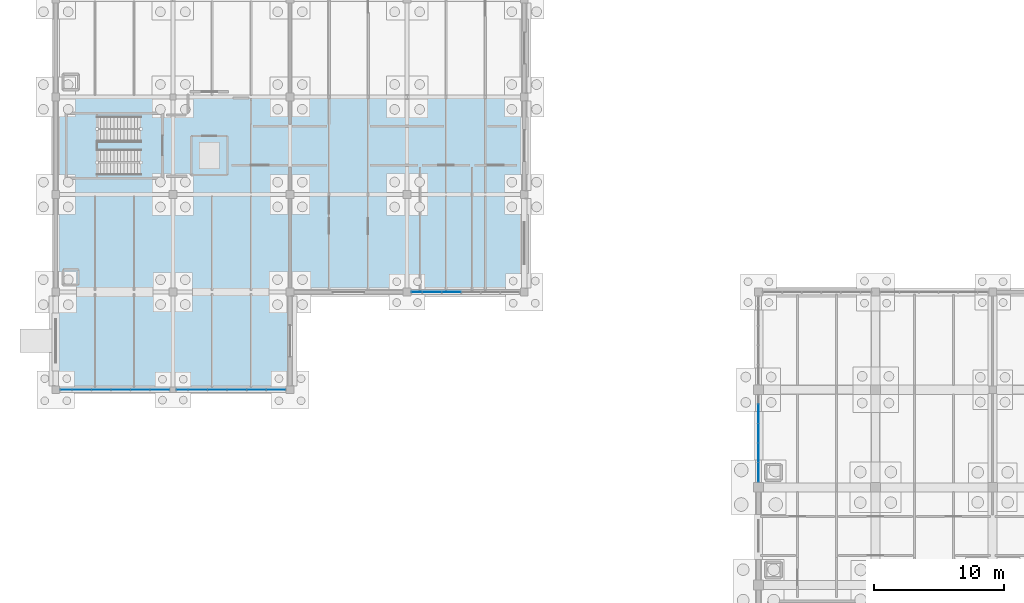
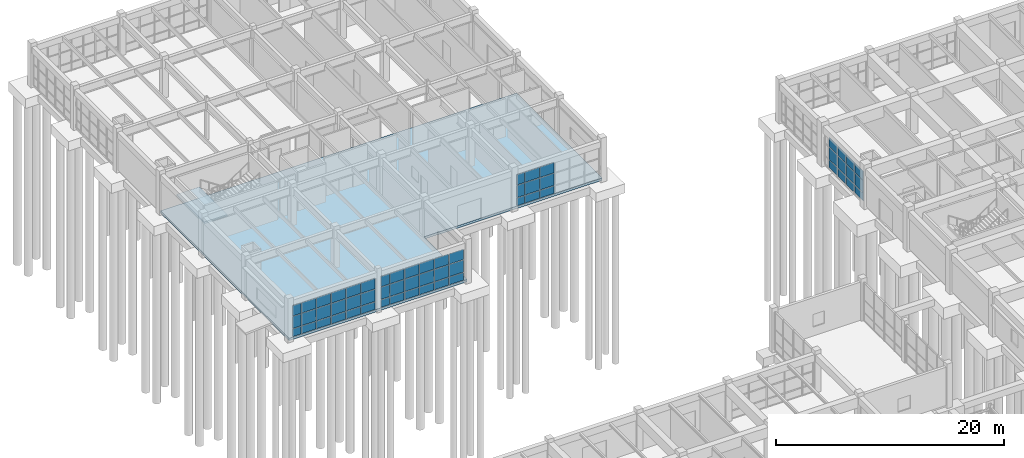
# One storey, part 48 of 93: 57 plates, 2 slabs, 5 elements without a shape of their own.
"""IFC4 building model written with IfcOpenShell, lengths in metres."""

from ifc_helpers import new_model, si_unit, direction, frame, origin, origin_2d, place, context, subcontext, project, spatial, polyline, rectangle, outline, extrude, material, layer, layer_set, type_object, element, aggregate, save


model = new_model("IFC4")

# Units and contexts
model_context = context("Model", 3, precision=1e-05, world=origin(), true_north=direction((0.0, 1.0)))
body_context = subcontext(model_context, "Body", "Model", "MODEL_VIEW")
ifc_project = project(units=[si_unit("LENGTHUNIT", "METRE"), si_unit("AREAUNIT", "SQUARE_METRE"), si_unit("VOLUMEUNIT", "CUBIC_METRE"), si_unit("PLANEANGLEUNIT", "RADIAN"), si_unit("MASSUNIT", "GRAM", prefix="KILO")], contexts=[model_context])

# Site, building, storey
site_placement = place(None, origin())
site = spatial("IfcSite", under=ifc_project, at=site_placement, CompositionType="ELEMENT")
building_placement = place(site_placement, origin())
building = spatial("IfcBuilding", under=site, at=building_placement, Name="Marnridge Secondary College", CompositionType="ELEMENT")
storey_placement = place(building_placement, origin())
storey = spatial("IfcBuildingStorey", under=building, at=storey_placement, Name="L00", CompositionType="ELEMENT", Elevation=0.0)

# Curtain wall, plates
ifc_material_1 = material(Name="Thermally broken aluminium and low-E glazing", Category="aluminium")
ifc_layer_1 = layer(ifc_material_1, 0.159912109375)
ifc_layer_set_1 = layer_set([ifc_layer_1], Name="CW-MOD-1500")
curtain_wall_type = type_object("IfcCurtainWallType", Name="CW-MOD-1500", PredefinedType="NOTDEFINED", material=ifc_layer_set_1)
curtain_wall_1_placement = place(storey_placement, origin())
curtain_wall_1 = element("IfcCurtainWall", 1, at=curtain_wall_1_placement, inside=storey, type_object=curtain_wall_type, Name="Unitised curtain wall CW-L00-007", PredefinedType="NOTDEFINED")
ifc_material_2 = material(Name="Double-glazed low-E argon unit", Category="glass")
ifc_layer_2 = layer(ifc_material_2, 0.028076171875)
ifc_layer_set_2 = layer_set([ifc_layer_2], Name="CWP-GLZ28")
plate_type = type_object("IfcPlateType", Name="CWP-GLZ28", PredefinedType="CURTAIN_PANEL", material=ifc_layer_set_2)
plate_1_placement = place(storey_placement, frame((54.0, 68.658935546875, 0.06005859375), z_axis=(0.0, 0.0, 1.0), x_axis=(0.0, 1.0, 0.0)))
plate_1 = element("IfcPlate", 2, at=plate_1_placement, type_object=plate_type, Name="CW-L00-007 panel 1.1", PredefinedType="CURTAIN_PANEL", context=body_context, shape_type="SweptSolid", body=[
    extrude(rectangle(XDim=1.43994140625, YDim=0.028076171875, at=origin_2d()), origin(), (0.0, 0.0, 1.0), 0.81005859375),
])
plate_2_placement = place(storey_placement, frame((54.0, 68.658935546875, 0.929931640625), z_axis=(0.0, 0.0, 1.0), x_axis=(0.0, 1.0, 0.0)))
plate_2 = element("IfcPlate", 3, at=plate_2_placement, type_object=plate_type, Name="CW-L00-007 panel 1.2", PredefinedType="CURTAIN_PANEL", context=body_context, shape_type="SweptSolid", body=[
    extrude(rectangle(XDim=1.43994140625, YDim=0.028076171875, at=origin_2d()), origin(), (0.0, 0.0, 1.0), 1.2900390625),
])
plate_3_placement = place(storey_placement, frame((54.0, 68.658935546875, 2.280029296875), z_axis=(0.0, 0.0, 1.0), x_axis=(0.0, 1.0, 0.0)))
plate_3 = element("IfcPlate", 4, at=plate_3_placement, type_object=plate_type, Name="CW-L00-007 panel 1.3", PredefinedType="CURTAIN_PANEL", context=body_context, shape_type="SweptSolid", body=[
    extrude(rectangle(XDim=1.43994140625, YDim=0.028076171875, at=origin_2d()), origin(), (0.0, 0.0, 1.0), 0.98193359375),
])
plate_4_placement = place(storey_placement, frame((54.0, 70.158935546875, 0.06005859375), z_axis=(0.0, 0.0, 1.0), x_axis=(0.0, 1.0, 0.0)))
plate_4 = element("IfcPlate", 5, at=plate_4_placement, type_object=plate_type, Name="CW-L00-007 panel 2.1", PredefinedType="CURTAIN_PANEL", context=body_context, shape_type="SweptSolid", body=[
    extrude(rectangle(XDim=1.43994140625, YDim=0.028076171875, at=origin_2d()), origin(), (0.0, 0.0, 1.0), 0.81005859375),
])
plate_5_placement = place(storey_placement, frame((54.0, 70.158935546875, 0.929931640625), z_axis=(0.0, 0.0, 1.0), x_axis=(0.0, 1.0, 0.0)))
plate_5 = element("IfcPlate", 6, at=plate_5_placement, type_object=plate_type, Name="CW-L00-007 panel 2.2", PredefinedType="CURTAIN_PANEL", context=body_context, shape_type="SweptSolid", body=[
    extrude(rectangle(XDim=1.43994140625, YDim=0.028076171875, at=origin_2d()), origin(), (0.0, 0.0, 1.0), 1.2900390625),
])
plate_6_placement = place(storey_placement, frame((54.0, 70.158935546875, 2.280029296875), z_axis=(0.0, 0.0, 1.0), x_axis=(0.0, 1.0, 0.0)))
plate_6 = element("IfcPlate", 7, at=plate_6_placement, type_object=plate_type, Name="CW-L00-007 panel 2.3", PredefinedType="CURTAIN_PANEL", context=body_context, shape_type="SweptSolid", body=[
    extrude(rectangle(XDim=1.43994140625, YDim=0.028076171875, at=origin_2d()), origin(), (0.0, 0.0, 1.0), 0.98193359375),
])
plate_7_placement = place(storey_placement, frame((54.0, 71.658935546875, 0.06005859375), z_axis=(0.0, 0.0, 1.0), x_axis=(0.0, 1.0, 0.0)))
plate_7 = element("IfcPlate", 8, at=plate_7_placement, type_object=plate_type, Name="CW-L00-007 panel 3.1", PredefinedType="CURTAIN_PANEL", context=body_context, shape_type="SweptSolid", body=[
    extrude(rectangle(XDim=1.43994140625, YDim=0.028076171875, at=origin_2d()), origin(), (0.0, 0.0, 1.0), 0.81005859375),
])
plate_8_placement = place(storey_placement, frame((54.0, 71.658935546875, 0.929931640625), z_axis=(0.0, 0.0, 1.0), x_axis=(0.0, 1.0, 0.0)))
plate_8 = element("IfcPlate", 9, at=plate_8_placement, type_object=plate_type, Name="CW-L00-007 panel 3.2", PredefinedType="CURTAIN_PANEL", context=body_context, shape_type="SweptSolid", body=[
    extrude(rectangle(XDim=1.43994140625, YDim=0.028076171875, at=origin_2d()), origin(), (0.0, 0.0, 1.0), 1.2900390625),
])
plate_9_placement = place(storey_placement, frame((54.0, 71.658935546875, 2.280029296875), z_axis=(0.0, 0.0, 1.0), x_axis=(0.0, 1.0, 0.0)))
plate_9 = element("IfcPlate", 10, at=plate_9_placement, type_object=plate_type, Name="CW-L00-007 panel 3.3", PredefinedType="CURTAIN_PANEL", context=body_context, shape_type="SweptSolid", body=[
    extrude(rectangle(XDim=1.43994140625, YDim=0.028076171875, at=origin_2d()), origin(), (0.0, 0.0, 1.0), 0.98193359375),
])
plate_10_placement = place(storey_placement, frame((54.0, 73.158935546875, 0.06005859375), z_axis=(0.0, 0.0, 1.0), x_axis=(0.0, 1.0, 0.0)))
plate_10 = element("IfcPlate", 11, at=plate_10_placement, type_object=plate_type, Name="CW-L00-007 panel 4.1", PredefinedType="CURTAIN_PANEL", context=body_context, shape_type="SweptSolid", body=[
    extrude(rectangle(XDim=1.43994140625, YDim=0.028076171875, at=origin_2d()), origin(), (0.0, 0.0, 1.0), 0.81005859375),
])
plate_11_placement = place(storey_placement, frame((54.0, 73.158935546875, 0.929931640625), z_axis=(0.0, 0.0, 1.0), x_axis=(0.0, 1.0, 0.0)))
plate_11 = element("IfcPlate", 12, at=plate_11_placement, type_object=plate_type, Name="CW-L00-007 panel 4.2", PredefinedType="CURTAIN_PANEL", context=body_context, shape_type="SweptSolid", body=[
    extrude(rectangle(XDim=1.43994140625, YDim=0.028076171875, at=origin_2d()), origin(), (0.0, 0.0, 1.0), 1.2900390625),
])
plate_12_placement = place(storey_placement, frame((54.0, 73.158935546875, 2.280029296875), z_axis=(0.0, 0.0, 1.0), x_axis=(0.0, 1.0, 0.0)))
plate_12 = element("IfcPlate", 13, at=plate_12_placement, type_object=plate_type, Name="CW-L00-007 panel 4.3", PredefinedType="CURTAIN_PANEL", context=body_context, shape_type="SweptSolid", body=[
    extrude(rectangle(XDim=1.43994140625, YDim=0.028076171875, at=origin_2d()), origin(), (0.0, 0.0, 1.0), 0.98193359375),
])
aggregate(curtain_wall_1, [plate_1, plate_2, plate_3, plate_4, plate_5, plate_6, plate_7, plate_8, plate_9, plate_10, plate_11, plate_12])

curtain_wall_2_placement = place(storey_placement, origin())
curtain_wall_2 = element("IfcCurtainWall", 14, at=curtain_wall_2_placement, inside=storey, type_object=curtain_wall_type, Name="Unitised curtain wall CW-L00-014", PredefinedType="NOTDEFINED")
plate_13_placement = place(storey_placement, frame((30.416015625, 82.5, 0.06005859375), z_axis=(0.0, 0.0, 1.0), x_axis=(-1.0, 0.0, 0.0)))
plate_13 = element("IfcPlate", 15, at=plate_13_placement, type_object=plate_type, Name="CW-L00-014 panel 4.1", PredefinedType="CURTAIN_PANEL", context=body_context, shape_type="SweptSolid", body=[
    extrude(rectangle(XDim=1.43994140625, YDim=0.028076171875, at=origin_2d()), origin(), (0.0, 0.0, 1.0), 0.81005859375),
])
plate_14_placement = place(storey_placement, frame((30.416015625, 82.5, 0.929931640625), z_axis=(0.0, 0.0, 1.0), x_axis=(-1.0, 0.0, 0.0)))
plate_14 = element("IfcPlate", 16, at=plate_14_placement, type_object=plate_type, Name="CW-L00-014 panel 4.2", PredefinedType="CURTAIN_PANEL", context=body_context, shape_type="SweptSolid", body=[
    extrude(rectangle(XDim=1.43994140625, YDim=0.028076171875, at=origin_2d()), origin(), (0.0, 0.0, 1.0), 1.2900390625),
])
plate_15_placement = place(storey_placement, frame((30.416015625, 82.5, 2.280029296875), z_axis=(0.0, 0.0, 1.0), x_axis=(-1.0, 0.0, 0.0)))
plate_15 = element("IfcPlate", 17, at=plate_15_placement, type_object=plate_type, Name="CW-L00-014 panel 4.3", PredefinedType="CURTAIN_PANEL", context=body_context, shape_type="SweptSolid", body=[
    extrude(rectangle(XDim=1.43994140625, YDim=0.028076171875, at=origin_2d()), origin(), (0.0, 0.0, 1.0), 1.10205078125),
])
plate_16_placement = place(storey_placement, frame((28.916015625, 82.5, 0.06005859375), z_axis=(0.0, 0.0, 1.0), x_axis=(-1.0, 0.0, 0.0)))
plate_16 = element("IfcPlate", 18, at=plate_16_placement, type_object=plate_type, Name="CW-L00-014 panel 5.1", PredefinedType="CURTAIN_PANEL", context=body_context, shape_type="SweptSolid", body=[
    extrude(rectangle(XDim=1.43994140625, YDim=0.028076171875, at=origin_2d()), origin(), (0.0, 0.0, 1.0), 0.81005859375),
])
plate_17_placement = place(storey_placement, frame((28.916015625, 82.5, 0.929931640625), z_axis=(0.0, 0.0, 1.0), x_axis=(-1.0, 0.0, 0.0)))
plate_17 = element("IfcPlate", 19, at=plate_17_placement, type_object=plate_type, Name="CW-L00-014 panel 5.2", PredefinedType="CURTAIN_PANEL", context=body_context, shape_type="SweptSolid", body=[
    extrude(rectangle(XDim=1.43994140625, YDim=0.028076171875, at=origin_2d()), origin(), (0.0, 0.0, 1.0), 1.2900390625),
])
plate_18_placement = place(storey_placement, frame((28.916015625, 82.5, 2.280029296875), z_axis=(0.0, 0.0, 1.0), x_axis=(-1.0, 0.0, 0.0)))
plate_18 = element("IfcPlate", 20, at=plate_18_placement, type_object=plate_type, Name="CW-L00-014 panel 5.3", PredefinedType="CURTAIN_PANEL", context=body_context, shape_type="SweptSolid", body=[
    extrude(rectangle(XDim=1.43994140625, YDim=0.028076171875, at=origin_2d()), origin(), (0.0, 0.0, 1.0), 1.10205078125),
])
plate_19_placement = place(storey_placement, frame((27.75, 82.5, 0.06005859375), z_axis=(0.0, 0.0, 1.0), x_axis=(-1.0, 0.0, 0.0)))
plate_19 = element("IfcPlate", 21, at=plate_19_placement, type_object=plate_type, Name="CW-L00-014 panel 6.1", PredefinedType="CURTAIN_PANEL", context=body_context, shape_type="SweptSolid", body=[
    extrude(rectangle(XDim=0.77197265625, YDim=0.028076171875, at=origin_2d()), origin(), (0.0, 0.0, 1.0), 0.81005859375),
])
plate_20_placement = place(storey_placement, frame((27.75, 82.5, 0.929931640625), z_axis=(0.0, 0.0, 1.0), x_axis=(-1.0, 0.0, 0.0)))
plate_20 = element("IfcPlate", 22, at=plate_20_placement, type_object=plate_type, Name="CW-L00-014 panel 6.2", PredefinedType="CURTAIN_PANEL", context=body_context, shape_type="SweptSolid", body=[
    extrude(rectangle(XDim=0.77197265625, YDim=0.028076171875, at=origin_2d()), origin(), (0.0, 0.0, 1.0), 1.2900390625),
])
plate_21_placement = place(storey_placement, frame((27.75, 82.5, 2.280029296875), z_axis=(0.0, 0.0, 1.0), x_axis=(-1.0, 0.0, 0.0)))
plate_21 = element("IfcPlate", 23, at=plate_21_placement, type_object=plate_type, Name="CW-L00-014 panel 6.3", PredefinedType="CURTAIN_PANEL", context=body_context, shape_type="SweptSolid", body=[
    extrude(rectangle(XDim=0.77197265625, YDim=0.028076171875, at=origin_2d()), origin(), (0.0, 0.0, 1.0), 1.10205078125),
])
aggregate(curtain_wall_2, [plate_13, plate_14, plate_15, plate_16, plate_17, plate_18, plate_19, plate_20, plate_21])

curtain_wall_3_placement = place(storey_placement, origin())
curtain_wall_3 = element("IfcCurtainWall", 24, at=curtain_wall_3_placement, inside=storey, type_object=curtain_wall_type, Name="Unitised curtain wall CW-L00-015", PredefinedType="NOTDEFINED")
plate_22_placement = place(storey_placement, frame((16.916015625, 75.0, 0.06005859375), z_axis=(0.0, 0.0, 1.0), x_axis=(-1.0, 0.0, 0.0)))
plate_22 = element("IfcPlate", 25, at=plate_22_placement, type_object=plate_type, Name="CW-L00-015 panel 1.1", PredefinedType="CURTAIN_PANEL", context=body_context, shape_type="SweptSolid", body=[
    extrude(rectangle(XDim=1.43994140625, YDim=0.028076171875, at=origin_2d()), origin(), (0.0, 0.0, 1.0), 0.81005859375),
])
plate_23_placement = place(storey_placement, frame((16.916015625, 75.0, 0.929931640625), z_axis=(0.0, 0.0, 1.0), x_axis=(-1.0, 0.0, 0.0)))
plate_23 = element("IfcPlate", 26, at=plate_23_placement, type_object=plate_type, Name="CW-L00-015 panel 1.2", PredefinedType="CURTAIN_PANEL", context=body_context, shape_type="SweptSolid", body=[
    extrude(rectangle(XDim=1.43994140625, YDim=0.028076171875, at=origin_2d()), origin(), (0.0, 0.0, 1.0), 1.2900390625),
])
plate_24_placement = place(storey_placement, frame((16.916015625, 75.0, 2.280029296875), z_axis=(0.0, 0.0, 1.0), x_axis=(-1.0, 0.0, 0.0)))
plate_24 = element("IfcPlate", 27, at=plate_24_placement, type_object=plate_type, Name="CW-L00-015 panel 1.3", PredefinedType="CURTAIN_PANEL", context=body_context, shape_type="SweptSolid", body=[
    extrude(rectangle(XDim=1.43994140625, YDim=0.028076171875, at=origin_2d()), origin(), (0.0, 0.0, 1.0), 1.10205078125),
])
plate_25_placement = place(storey_placement, frame((15.416015625, 75.0, 0.06005859375), z_axis=(0.0, 0.0, 1.0), x_axis=(-1.0, 0.0, 0.0)))
plate_25 = element("IfcPlate", 28, at=plate_25_placement, type_object=plate_type, Name="CW-L00-015 panel 2.1", PredefinedType="CURTAIN_PANEL", context=body_context, shape_type="SweptSolid", body=[
    extrude(rectangle(XDim=1.43994140625, YDim=0.028076171875, at=origin_2d()), origin(), (0.0, 0.0, 1.0), 0.81005859375),
])
plate_26_placement = place(storey_placement, frame((15.416015625, 75.0, 0.929931640625), z_axis=(0.0, 0.0, 1.0), x_axis=(-1.0, 0.0, 0.0)))
plate_26 = element("IfcPlate", 29, at=plate_26_placement, type_object=plate_type, Name="CW-L00-015 panel 2.2", PredefinedType="CURTAIN_PANEL", context=body_context, shape_type="SweptSolid", body=[
    extrude(rectangle(XDim=1.43994140625, YDim=0.028076171875, at=origin_2d()), origin(), (0.0, 0.0, 1.0), 1.2900390625),
])
plate_27_placement = place(storey_placement, frame((15.416015625, 75.0, 2.280029296875), z_axis=(0.0, 0.0, 1.0), x_axis=(-1.0, 0.0, 0.0)))
plate_27 = element("IfcPlate", 30, at=plate_27_placement, type_object=plate_type, Name="CW-L00-015 panel 2.3", PredefinedType="CURTAIN_PANEL", context=body_context, shape_type="SweptSolid", body=[
    extrude(rectangle(XDim=1.43994140625, YDim=0.028076171875, at=origin_2d()), origin(), (0.0, 0.0, 1.0), 1.10205078125),
])
plate_28_placement = place(storey_placement, frame((13.916015625, 75.0, 0.06005859375), z_axis=(0.0, 0.0, 1.0), x_axis=(-1.0, 0.0, 0.0)))
plate_28 = element("IfcPlate", 31, at=plate_28_placement, type_object=plate_type, Name="CW-L00-015 panel 3.1", PredefinedType="CURTAIN_PANEL", context=body_context, shape_type="SweptSolid", body=[
    extrude(rectangle(XDim=1.43994140625, YDim=0.028076171875, at=origin_2d()), origin(), (0.0, 0.0, 1.0), 0.81005859375),
])
plate_29_placement = place(storey_placement, frame((13.916015625, 75.0, 0.929931640625), z_axis=(0.0, 0.0, 1.0), x_axis=(-1.0, 0.0, 0.0)))
plate_29 = element("IfcPlate", 32, at=plate_29_placement, type_object=plate_type, Name="CW-L00-015 panel 3.2", PredefinedType="CURTAIN_PANEL", context=body_context, shape_type="SweptSolid", body=[
    extrude(rectangle(XDim=1.43994140625, YDim=0.028076171875, at=origin_2d()), origin(), (0.0, 0.0, 1.0), 1.2900390625),
])
plate_30_placement = place(storey_placement, frame((13.916015625, 75.0, 2.280029296875), z_axis=(0.0, 0.0, 1.0), x_axis=(-1.0, 0.0, 0.0)))
plate_30 = element("IfcPlate", 33, at=plate_30_placement, type_object=plate_type, Name="CW-L00-015 panel 3.3", PredefinedType="CURTAIN_PANEL", context=body_context, shape_type="SweptSolid", body=[
    extrude(rectangle(XDim=1.43994140625, YDim=0.028076171875, at=origin_2d()), origin(), (0.0, 0.0, 1.0), 1.10205078125),
])
plate_31_placement = place(storey_placement, frame((12.416015625, 75.0, 0.06005859375), z_axis=(0.0, 0.0, 1.0), x_axis=(-1.0, 0.0, 0.0)))
plate_31 = element("IfcPlate", 34, at=plate_31_placement, type_object=plate_type, Name="CW-L00-015 panel 4.1", PredefinedType="CURTAIN_PANEL", context=body_context, shape_type="SweptSolid", body=[
    extrude(rectangle(XDim=1.43994140625, YDim=0.028076171875, at=origin_2d()), origin(), (0.0, 0.0, 1.0), 0.81005859375),
])
plate_32_placement = place(storey_placement, frame((12.416015625, 75.0, 0.929931640625), z_axis=(0.0, 0.0, 1.0), x_axis=(-1.0, 0.0, 0.0)))
plate_32 = element("IfcPlate", 35, at=plate_32_placement, type_object=plate_type, Name="CW-L00-015 panel 4.2", PredefinedType="CURTAIN_PANEL", context=body_context, shape_type="SweptSolid", body=[
    extrude(rectangle(XDim=1.43994140625, YDim=0.028076171875, at=origin_2d()), origin(), (0.0, 0.0, 1.0), 1.2900390625),
])
plate_33_placement = place(storey_placement, frame((12.416015625, 75.0, 2.280029296875), z_axis=(0.0, 0.0, 1.0), x_axis=(-1.0, 0.0, 0.0)))
plate_33 = element("IfcPlate", 36, at=plate_33_placement, type_object=plate_type, Name="CW-L00-015 panel 4.3", PredefinedType="CURTAIN_PANEL", context=body_context, shape_type="SweptSolid", body=[
    extrude(rectangle(XDim=1.43994140625, YDim=0.028076171875, at=origin_2d()), origin(), (0.0, 0.0, 1.0), 1.10205078125),
])
plate_34_placement = place(storey_placement, frame((10.916015625, 75.0, 0.06005859375), z_axis=(0.0, 0.0, 1.0), x_axis=(-1.0, 0.0, 0.0)))
plate_34 = element("IfcPlate", 37, at=plate_34_placement, type_object=plate_type, Name="CW-L00-015 panel 5.1", PredefinedType="CURTAIN_PANEL", context=body_context, shape_type="SweptSolid", body=[
    extrude(rectangle(XDim=1.43994140625, YDim=0.028076171875, at=origin_2d()), origin(), (0.0, 0.0, 1.0), 0.81005859375),
])
plate_35_placement = place(storey_placement, frame((10.916015625, 75.0, 0.929931640625), z_axis=(0.0, 0.0, 1.0), x_axis=(-1.0, 0.0, 0.0)))
plate_35 = element("IfcPlate", 38, at=plate_35_placement, type_object=plate_type, Name="CW-L00-015 panel 5.2", PredefinedType="CURTAIN_PANEL", context=body_context, shape_type="SweptSolid", body=[
    extrude(rectangle(XDim=1.43994140625, YDim=0.028076171875, at=origin_2d()), origin(), (0.0, 0.0, 1.0), 1.2900390625),
])
plate_36_placement = place(storey_placement, frame((10.916015625, 75.0, 2.280029296875), z_axis=(0.0, 0.0, 1.0), x_axis=(-1.0, 0.0, 0.0)))
plate_36 = element("IfcPlate", 39, at=plate_36_placement, type_object=plate_type, Name="CW-L00-015 panel 5.3", PredefinedType="CURTAIN_PANEL", context=body_context, shape_type="SweptSolid", body=[
    extrude(rectangle(XDim=1.43994140625, YDim=0.028076171875, at=origin_2d()), origin(), (0.0, 0.0, 1.0), 1.10205078125),
])
plate_37_placement = place(storey_placement, frame((9.71240234375, 75.0, 0.06005859375), z_axis=(0.0, 0.0, 1.0), x_axis=(-1.0, 0.0, 0.0)))
plate_37 = element("IfcPlate", 40, at=plate_37_placement, type_object=plate_type, Name="CW-L00-015 panel 6.1", PredefinedType="CURTAIN_PANEL", context=body_context, shape_type="SweptSolid", body=[
    extrude(rectangle(XDim=0.846923828125, YDim=0.028076171875, at=origin_2d()), origin(), (0.0, 0.0, 1.0), 0.81005859375),
])
plate_38_placement = place(storey_placement, frame((9.71240234375, 75.0, 0.929931640625), z_axis=(0.0, 0.0, 1.0), x_axis=(-1.0, 0.0, 0.0)))
plate_38 = element("IfcPlate", 41, at=plate_38_placement, type_object=plate_type, Name="CW-L00-015 panel 6.2", PredefinedType="CURTAIN_PANEL", context=body_context, shape_type="SweptSolid", body=[
    extrude(rectangle(XDim=0.846923828125, YDim=0.028076171875, at=origin_2d()), origin(), (0.0, 0.0, 1.0), 1.2900390625),
])
plate_39_placement = place(storey_placement, frame((9.71240234375, 75.0, 2.280029296875), z_axis=(0.0, 0.0, 1.0), x_axis=(-1.0, 0.0, 0.0)))
plate_39 = element("IfcPlate", 42, at=plate_39_placement, type_object=plate_type, Name="CW-L00-015 panel 6.3", PredefinedType="CURTAIN_PANEL", context=body_context, shape_type="SweptSolid", body=[
    extrude(rectangle(XDim=0.846923828125, YDim=0.028076171875, at=origin_2d()), origin(), (0.0, 0.0, 1.0), 1.10205078125),
])
aggregate(curtain_wall_3, [plate_22, plate_23, plate_24, plate_25, plate_26, plate_27, plate_28, plate_29, plate_30, plate_31, plate_32, plate_33, plate_34, plate_35, plate_36, plate_37, plate_38, plate_39])

curtain_wall_4_placement = place(storey_placement, origin())
curtain_wall_4 = element("IfcCurtainWall", 43, at=curtain_wall_4_placement, inside=storey, type_object=curtain_wall_type, Name="Unitised curtain wall CW-L00-016", PredefinedType="NOTDEFINED")
plate_40_placement = place(storey_placement, frame((7.990966796875, 75.0, 0.06005859375), z_axis=(0.0, 0.0, 1.0), x_axis=(-1.0, 0.0, 0.0)))
plate_40 = element("IfcPlate", 44, at=plate_40_placement, type_object=plate_type, Name="CW-L00-016 panel 1.1", PredefinedType="CURTAIN_PANEL", context=body_context, shape_type="SweptSolid", body=[
    extrude(rectangle(XDim=1.43994140625, YDim=0.028076171875, at=origin_2d()), origin(), (0.0, 0.0, 1.0), 0.81005859375),
])
plate_41_placement = place(storey_placement, frame((7.990966796875, 75.0, 0.929931640625), z_axis=(0.0, 0.0, 1.0), x_axis=(-1.0, 0.0, 0.0)))
plate_41 = element("IfcPlate", 45, at=plate_41_placement, type_object=plate_type, Name="CW-L00-016 panel 1.2", PredefinedType="CURTAIN_PANEL", context=body_context, shape_type="SweptSolid", body=[
    extrude(rectangle(XDim=1.43994140625, YDim=0.028076171875, at=origin_2d()), origin(), (0.0, 0.0, 1.0), 1.2900390625),
])
plate_42_placement = place(storey_placement, frame((7.990966796875, 75.0, 2.280029296875), z_axis=(0.0, 0.0, 1.0), x_axis=(-1.0, 0.0, 0.0)))
plate_42 = element("IfcPlate", 46, at=plate_42_placement, type_object=plate_type, Name="CW-L00-016 panel 1.3", PredefinedType="CURTAIN_PANEL", context=body_context, shape_type="SweptSolid", body=[
    extrude(rectangle(XDim=1.43994140625, YDim=0.028076171875, at=origin_2d()), origin(), (0.0, 0.0, 1.0), 1.10205078125),
])
plate_43_placement = place(storey_placement, frame((6.490966796875, 75.0, 0.06005859375), z_axis=(0.0, 0.0, 1.0), x_axis=(-1.0, 0.0, 0.0)))
plate_43 = element("IfcPlate", 47, at=plate_43_placement, type_object=plate_type, Name="CW-L00-016 panel 2.1", PredefinedType="CURTAIN_PANEL", context=body_context, shape_type="SweptSolid", body=[
    extrude(rectangle(XDim=1.43994140625, YDim=0.028076171875, at=origin_2d()), origin(), (0.0, 0.0, 1.0), 0.81005859375),
])
plate_44_placement = place(storey_placement, frame((6.490966796875, 75.0, 0.929931640625), z_axis=(0.0, 0.0, 1.0), x_axis=(-1.0, 0.0, 0.0)))
plate_44 = element("IfcPlate", 48, at=plate_44_placement, type_object=plate_type, Name="CW-L00-016 panel 2.2", PredefinedType="CURTAIN_PANEL", context=body_context, shape_type="SweptSolid", body=[
    extrude(rectangle(XDim=1.43994140625, YDim=0.028076171875, at=origin_2d()), origin(), (0.0, 0.0, 1.0), 1.2900390625),
])
plate_45_placement = place(storey_placement, frame((6.490966796875, 75.0, 2.280029296875), z_axis=(0.0, 0.0, 1.0), x_axis=(-1.0, 0.0, 0.0)))
plate_45 = element("IfcPlate", 49, at=plate_45_placement, type_object=plate_type, Name="CW-L00-016 panel 2.3", PredefinedType="CURTAIN_PANEL", context=body_context, shape_type="SweptSolid", body=[
    extrude(rectangle(XDim=1.43994140625, YDim=0.028076171875, at=origin_2d()), origin(), (0.0, 0.0, 1.0), 1.10205078125),
])
plate_46_placement = place(storey_placement, frame((4.990966796875, 75.0, 0.06005859375), z_axis=(0.0, 0.0, 1.0), x_axis=(-1.0, 0.0, 0.0)))
plate_46 = element("IfcPlate", 50, at=plate_46_placement, type_object=plate_type, Name="CW-L00-016 panel 3.1", PredefinedType="CURTAIN_PANEL", context=body_context, shape_type="SweptSolid", body=[
    extrude(rectangle(XDim=1.43994140625, YDim=0.028076171875, at=origin_2d()), origin(), (0.0, 0.0, 1.0), 0.81005859375),
])
plate_47_placement = place(storey_placement, frame((4.990966796875, 75.0, 0.929931640625), z_axis=(0.0, 0.0, 1.0), x_axis=(-1.0, 0.0, 0.0)))
plate_47 = element("IfcPlate", 51, at=plate_47_placement, type_object=plate_type, Name="CW-L00-016 panel 3.2", PredefinedType="CURTAIN_PANEL", context=body_context, shape_type="SweptSolid", body=[
    extrude(rectangle(XDim=1.43994140625, YDim=0.028076171875, at=origin_2d()), origin(), (0.0, 0.0, 1.0), 1.2900390625),
])
plate_48_placement = place(storey_placement, frame((4.990966796875, 75.0, 2.280029296875), z_axis=(0.0, 0.0, 1.0), x_axis=(-1.0, 0.0, 0.0)))
plate_48 = element("IfcPlate", 52, at=plate_48_placement, type_object=plate_type, Name="CW-L00-016 panel 3.3", PredefinedType="CURTAIN_PANEL", context=body_context, shape_type="SweptSolid", body=[
    extrude(rectangle(XDim=1.43994140625, YDim=0.028076171875, at=origin_2d()), origin(), (0.0, 0.0, 1.0), 1.10205078125),
])
plate_49_placement = place(storey_placement, frame((3.490966796875, 75.0, 0.06005859375), z_axis=(0.0, 0.0, 1.0), x_axis=(-1.0, 0.0, 0.0)))
plate_49 = element("IfcPlate", 53, at=plate_49_placement, type_object=plate_type, Name="CW-L00-016 panel 4.1", PredefinedType="CURTAIN_PANEL", context=body_context, shape_type="SweptSolid", body=[
    extrude(rectangle(XDim=1.43994140625, YDim=0.028076171875, at=origin_2d()), origin(), (0.0, 0.0, 1.0), 0.81005859375),
])
plate_50_placement = place(storey_placement, frame((3.490966796875, 75.0, 0.929931640625), z_axis=(0.0, 0.0, 1.0), x_axis=(-1.0, 0.0, 0.0)))
plate_50 = element("IfcPlate", 54, at=plate_50_placement, type_object=plate_type, Name="CW-L00-016 panel 4.2", PredefinedType="CURTAIN_PANEL", context=body_context, shape_type="SweptSolid", body=[
    extrude(rectangle(XDim=1.43994140625, YDim=0.028076171875, at=origin_2d()), origin(), (0.0, 0.0, 1.0), 1.2900390625),
])
plate_51_placement = place(storey_placement, frame((3.490966796875, 75.0, 2.280029296875), z_axis=(0.0, 0.0, 1.0), x_axis=(-1.0, 0.0, 0.0)))
plate_51 = element("IfcPlate", 55, at=plate_51_placement, type_object=plate_type, Name="CW-L00-016 panel 4.3", PredefinedType="CURTAIN_PANEL", context=body_context, shape_type="SweptSolid", body=[
    extrude(rectangle(XDim=1.43994140625, YDim=0.028076171875, at=origin_2d()), origin(), (0.0, 0.0, 1.0), 1.10205078125),
])
plate_52_placement = place(storey_placement, frame((1.990966796875, 75.0, 0.06005859375), z_axis=(0.0, 0.0, 1.0), x_axis=(-1.0, 0.0, 0.0)))
plate_52 = element("IfcPlate", 56, at=plate_52_placement, type_object=plate_type, Name="CW-L00-016 panel 5.1", PredefinedType="CURTAIN_PANEL", context=body_context, shape_type="SweptSolid", body=[
    extrude(rectangle(XDim=1.43994140625, YDim=0.028076171875, at=origin_2d()), origin(), (0.0, 0.0, 1.0), 0.81005859375),
])
plate_53_placement = place(storey_placement, frame((1.990966796875, 75.0, 0.929931640625), z_axis=(0.0, 0.0, 1.0), x_axis=(-1.0, 0.0, 0.0)))
plate_53 = element("IfcPlate", 57, at=plate_53_placement, type_object=plate_type, Name="CW-L00-016 panel 5.2", PredefinedType="CURTAIN_PANEL", context=body_context, shape_type="SweptSolid", body=[
    extrude(rectangle(XDim=1.43994140625, YDim=0.028076171875, at=origin_2d()), origin(), (0.0, 0.0, 1.0), 1.2900390625),
])
plate_54_placement = place(storey_placement, frame((1.990966796875, 75.0, 2.280029296875), z_axis=(0.0, 0.0, 1.0), x_axis=(-1.0, 0.0, 0.0)))
plate_54 = element("IfcPlate", 58, at=plate_54_placement, type_object=plate_type, Name="CW-L00-016 panel 5.3", PredefinedType="CURTAIN_PANEL", context=body_context, shape_type="SweptSolid", body=[
    extrude(rectangle(XDim=1.43994140625, YDim=0.028076171875, at=origin_2d()), origin(), (0.0, 0.0, 1.0), 1.10205078125),
])
plate_55_placement = place(storey_placement, frame((0.78759765625, 75.0, 0.06005859375), z_axis=(0.0, 0.0, 1.0), x_axis=(-1.0, 0.0, 0.0)))
plate_55 = element("IfcPlate", 59, at=plate_55_placement, type_object=plate_type, Name="CW-L00-016 panel 6.1", PredefinedType="CURTAIN_PANEL", context=body_context, shape_type="SweptSolid", body=[
    extrude(rectangle(XDim=0.846923828125, YDim=0.028076171875, at=origin_2d()), origin(), (0.0, 0.0, 1.0), 0.81005859375),
])
plate_56_placement = place(storey_placement, frame((0.78759765625, 75.0, 0.929931640625), z_axis=(0.0, 0.0, 1.0), x_axis=(-1.0, 0.0, 0.0)))
plate_56 = element("IfcPlate", 60, at=plate_56_placement, type_object=plate_type, Name="CW-L00-016 panel 6.2", PredefinedType="CURTAIN_PANEL", context=body_context, shape_type="SweptSolid", body=[
    extrude(rectangle(XDim=0.846923828125, YDim=0.028076171875, at=origin_2d()), origin(), (0.0, 0.0, 1.0), 1.2900390625),
])
plate_57_placement = place(storey_placement, frame((0.78759765625, 75.0, 2.280029296875), z_axis=(0.0, 0.0, 1.0), x_axis=(-1.0, 0.0, 0.0)))
plate_57 = element("IfcPlate", 61, at=plate_57_placement, type_object=plate_type, Name="CW-L00-016 panel 6.3", PredefinedType="CURTAIN_PANEL", context=body_context, shape_type="SweptSolid", body=[
    extrude(rectangle(XDim=0.846923828125, YDim=0.028076171875, at=origin_2d()), origin(), (0.0, 0.0, 1.0), 1.10205078125),
])
aggregate(curtain_wall_4, [plate_40, plate_41, plate_42, plate_43, plate_44, plate_45, plate_46, plate_47, plate_48, plate_49, plate_50, plate_51, plate_52, plate_53, plate_54, plate_55, plate_56, plate_57])

# Slab
ifc_material_3 = material(Name="Concrete C40/50 (AS 3600 N40, 40 MPa)", Category="concrete")
ifc_layer_3 = layer(ifc_material_3, 0.25)
ifc_layer_set_3 = layer_set([ifc_layer_3], Name="SL-BASE-250")
slab_type_1 = type_object("IfcSlabType", Name="SL-BASE-250", PredefinedType="BASESLAB", material=ifc_layer_set_3)
slab_1_placement = place(storey_placement, frame((0.0, 0.0, -0.25)))
element("IfcSlab", 62, at=slab_1_placement, inside=storey, type_object=slab_type_1, Name="Floor slab SL-L00-007", PredefinedType="BASESLAB", context=body_context, shape_type="SweptSolid", body=[
    extrude(outline(polyline([(0.0, 97.5), (36.0, 97.5), (36.0, 82.5), (18.0, 82.5), (18.0, 75.0), (0.0, 75.0), (0.0, 97.5)])), origin(), (0.0, 0.0, 1.0), 0.25),
])

# Stair, slab
ifc_material_4 = material(Name="Concrete C40/50 (AS 3600 N40, 40 MPa)", Category="concrete")
stair_type = type_object("IfcStairType", Name="STC1", PredefinedType="HALF_TURN_STAIR", material=ifc_material_4)
stair_placement = place(storey_placement, origin())
stair = element("IfcStair", 63, at=stair_placement, inside=storey, type_object=stair_type, Name="Fire-isolated stair ST-05-L00", PredefinedType="HALF_TURN_STAIR")
ifc_material_5 = material(Name="Concrete C40/50 (AS 3600 N40, 40 MPa)", Category="concrete")
ifc_layer_4 = layer(ifc_material_5, 0.199951171875)
ifc_layer_set_4 = layer_set([ifc_layer_4], Name="SL-LAND-200")
slab_type_2 = type_object("IfcSlabType", Name="SL-LAND-200", PredefinedType="LANDING", material=ifc_layer_set_4)
slab_2_placement = place(storey_placement, frame((0.0, 0.0, 2.050048828125)))
slab_2 = element("IfcSlab", 64, at=slab_2_placement, type_object=slab_type_2, Name="ST-05-L00 landing 1", PredefinedType="LANDING", context=body_context, shape_type="SweptSolid", body=[
    extrude(outline(polyline([(0.860107421875, 91.31005859375), (3.169921875, 91.31005859375), (3.169921875, 96.18994140625), (0.860107421875, 96.18994140625), (0.860107421875, 91.31005859375)])), origin(), (0.0, 0.0, 1.0), 0.199951171875),
])
aggregate(stair, [slab_2])

save(model, "model.ifc")
